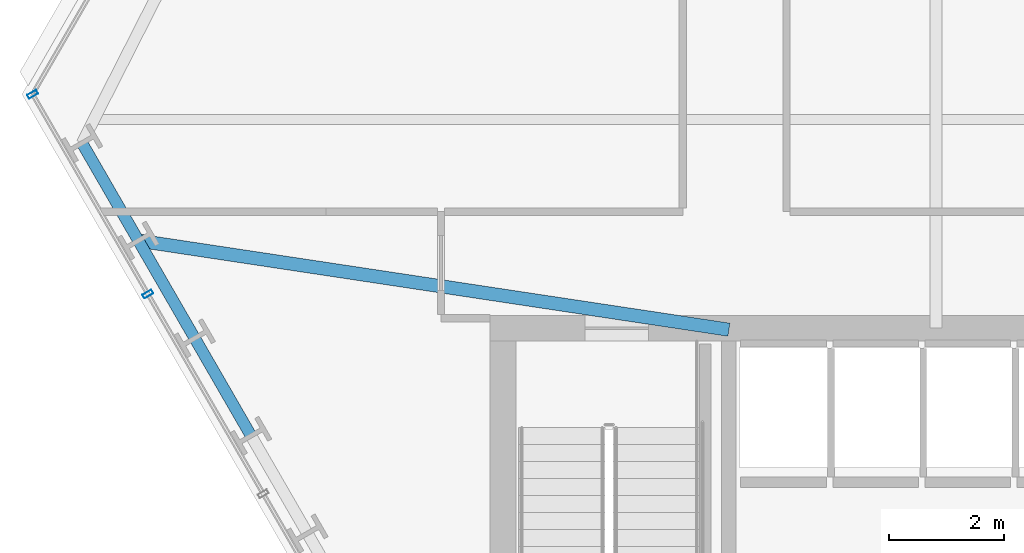
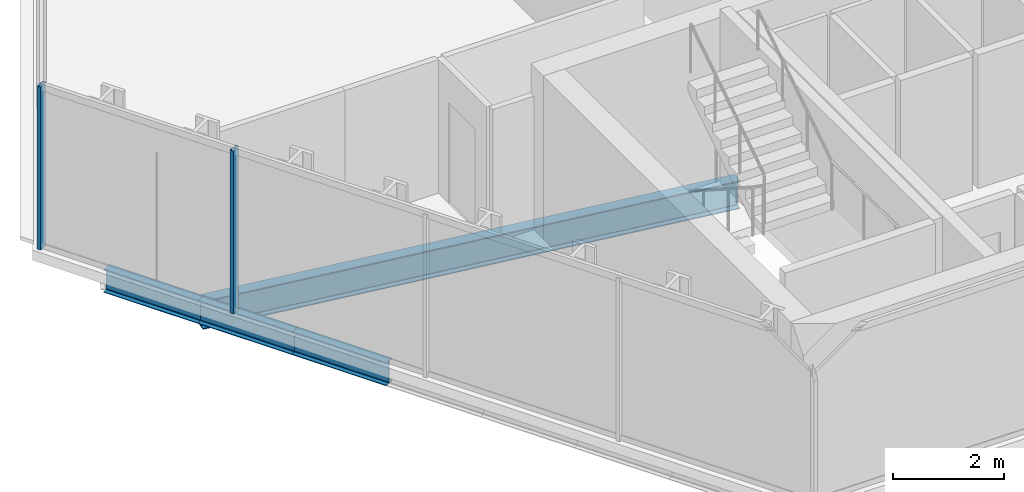
# One storey, part 4 of 32: 4 beams, 2 members, 1 element without a shape of its own.
"""IFC4 building model written with IfcOpenShell, lengths in metres."""

from ifc_helpers import new_model, si_unit, direction, frame, origin, origin_2d, place, context, subcontext, project, spatial, hollow_rectangle, i_section, extrude, material, layer, layer_set, material_profile, profile_set, type_object, element, aggregate, save


model = new_model("IFC4")

# Units and contexts
model_context = context("Model", 3, precision=1e-05, world=origin(), true_north=direction((0.0, 1.0)))
body_context = subcontext(model_context, "Body", "Model", "MODEL_VIEW")
ifc_project = project(units=[si_unit("LENGTHUNIT", "METRE"), si_unit("AREAUNIT", "SQUARE_METRE"), si_unit("VOLUMEUNIT", "CUBIC_METRE"), si_unit("PLANEANGLEUNIT", "RADIAN"), si_unit("MASSUNIT", "GRAM", prefix="KILO")], contexts=[model_context])

# Site, building, storey
site_placement = place(None, origin())
site = spatial("IfcSite", under=ifc_project, at=site_placement, CompositionType="ELEMENT")
building_placement = place(site_placement, origin())
building = spatial("IfcBuilding", under=site, at=building_placement, Name="Ndaravel Arena Tower", CompositionType="ELEMENT")
storey_placement = place(building_placement, frame((0.0, 0.0, 47.39990234375)))
storey = spatial("IfcBuildingStorey", under=building, at=storey_placement, Name="L09", CompositionType="ELEMENT", Elevation=47.39990234375)

# Beams
ifc_material_1 = material(Name="Steel S355", Category="steel")
ifc_material_profile_1 = material_profile(ifc_material_1, i_section(OverallWidth=0.230224609375, OverallDepth=0.6171875, WebThickness=0.01318359375, FlangeThickness=0.022216796875, FilletRadius=0.0126953125, at=origin_2d()), Name="UB 610x229x140")
ifc_profile_set_1 = profile_set([ifc_material_profile_1], Name="Steel S355")
beam_type_1 = type_object("IfcBeamType", Name="BM-GIRD-UB610B", PredefinedType="BEAM", material=ifc_profile_set_1)
beam_1_placement = place(storey_placement, frame((20.343994140625, 16.4970703125, -0.528564453125), z_axis=(0.988812912009, -0.149161070804, 0.0), x_axis=(0.149161070804, 0.988812912009, 0.0)))
element("IfcBeam", 1, at=beam_1_placement, inside=storey, type_object=beam_type_1, Name="L09 Radial Floor Girder FG-21", PredefinedType="BEAM", context=body_context, shape_type="SweptSolid", body=[
    extrude(i_section(OverallWidth=0.230224609375, OverallDepth=0.6171875, WebThickness=0.01318359375, FlangeThickness=0.022216796875, FilletRadius=0.0126953125, at=origin_2d()), origin(), (0.0, 0.0, 1.0), 10.3720703125),
])
ifc_material_2 = material(Name="Steel S355", Category="steel")
ifc_material_profile_2 = material_profile(ifc_material_2, i_section(OverallWidth=0.199951171875, OverallDepth=0.5, WebThickness=0.01025390625, FlangeThickness=0.01611328125, FilletRadius=0.02099609375, at=origin_2d()), Name="IPE 500")
ifc_profile_set_2 = profile_set([ifc_material_profile_2], Name="Steel S355")
beam_type_2 = type_object("IfcBeamType", Name="BM-SPAN-IPE500", PredefinedType="SPANDREL", material=ifc_profile_set_2)
for number, where, z_axis, x_axis, name in (
    (2, (19.365478515625, 18.19189453125, -0.469970703125), (0.500003221507, -0.866023543838, 0.0), (0.866023543838, 0.500003221507, 0.0), "L09 Perimeter Spandrel Beam SP-20"),
    (3, (20.343994140625, 16.4970703125, -0.469970703125), (0.500096775829, -0.865969523024, 0.0), (0.865969523024, 0.500096775829, 0.0), "L09 Perimeter Spandrel Beam SP-21"),
):
    element("IfcBeam", number, at=place(storey_placement, frame(where, z_axis=z_axis, x_axis=x_axis)), inside=storey, type_object=beam_type_2, Name=name, PredefinedType="SPANDREL", context=body_context, shape_type="SweptSolid", body=[
        extrude(i_section(OverallWidth=0.199951171875, OverallDepth=0.5, WebThickness=0.01025390625, FlangeThickness=0.01611328125, FilletRadius=0.02099609375, at=origin_2d()), origin(), (0.0, 0.0, 1.0), 1.95703125),
    ])
beam_2_placement = place(storey_placement, frame((21.32275390625, 14.80224609375, -0.469970703125), z_axis=(0.49994920724, -0.866054727012, 0.0), x_axis=(0.866054727012, 0.49994920724, 0.0)))
element("IfcBeam", 4, at=beam_2_placement, inside=storey, type_object=beam_type_2, Name="L09 Perimeter Spandrel Beam SP-22", PredefinedType="SPANDREL", context=body_context, shape_type="SweptSolid", body=[
    extrude(i_section(OverallWidth=0.199951171875, OverallDepth=0.5, WebThickness=0.01025390625, FlangeThickness=0.01611328125, FilletRadius=0.02099609375, at=origin_2d()), origin(), (0.0, 0.0, 1.0), 1.957275390625),
])

# Curtain wall, members
ifc_material_3 = material(Name="Aluminium", Category="aluminium")
ifc_layer = layer(ifc_material_3, 0.179931640625)
ifc_layer_set = layer_set([ifc_layer], Name="Aluminium")
curtain_wall_type = type_object("IfcCurtainWallType", Name="CW-SYS-02", PredefinedType="NOTDEFINED", material=ifc_layer_set)
curtain_wall_placement = place(storey_placement, origin())
curtain_wall = element("IfcCurtainWall", 5, at=curtain_wall_placement, inside=storey, type_object=curtain_wall_type, Name="L09 Faceted Crystal Curtain Wall CW-L09-E06", PredefinedType="NOTDEFINED")
ifc_material_4 = material(Name="Aluminium", Category="aluminium")
ifc_material_profile_3 = material_profile(ifc_material_4, hollow_rectangle(XDim=0.074951171875, YDim=0.179931640625, WallThickness=0.00390625, at=origin_2d()), Name="CW MULLION 75x180x4")
ifc_profile_set_3 = profile_set([ifc_material_profile_3], Name="Aluminium")
member_type = type_object("IfcMemberType", Name="MEM-CW-MUL180", PredefinedType="MULLION", material=ifc_profile_set_3)
member_1_placement = place(storey_placement, frame((18.5068359375, 19.03955078125, 0.0), z_axis=(0.0, 0.0, 1.0), x_axis=(0.5, -0.866025403784, 0.0)))
member_1 = element("IfcMember", 6, at=member_1_placement, type_object=member_type, Name="CW-L09-E06 Mullion 00", PredefinedType="MULLION", context=body_context, shape_type="SweptSolid", body=[
    extrude(hollow_rectangle(XDim=0.074951171875, YDim=0.179931640625, WallThickness=0.00390625, at=origin_2d()), origin(), (0.0, 0.0, 1.0), 3.580078125),
])
member_2_placement = place(storey_placement, frame((20.510009765625, 15.569580078125, 0.0), z_axis=(0.0, 0.0, 1.0), x_axis=(0.5, -0.866025403784, 0.0)))
member_2 = element("IfcMember", 7, at=member_2_placement, type_object=member_type, Name="CW-L09-E06 Mullion 01", PredefinedType="MULLION", context=body_context, shape_type="SweptSolid", body=[
    extrude(hollow_rectangle(XDim=0.074951171875, YDim=0.179931640625, WallThickness=0.00390625, at=origin_2d()), origin(), (0.0, 0.0, 1.0), 3.580078125),
])
aggregate(curtain_wall, [member_1, member_2])

save(model, "model.ifc")
